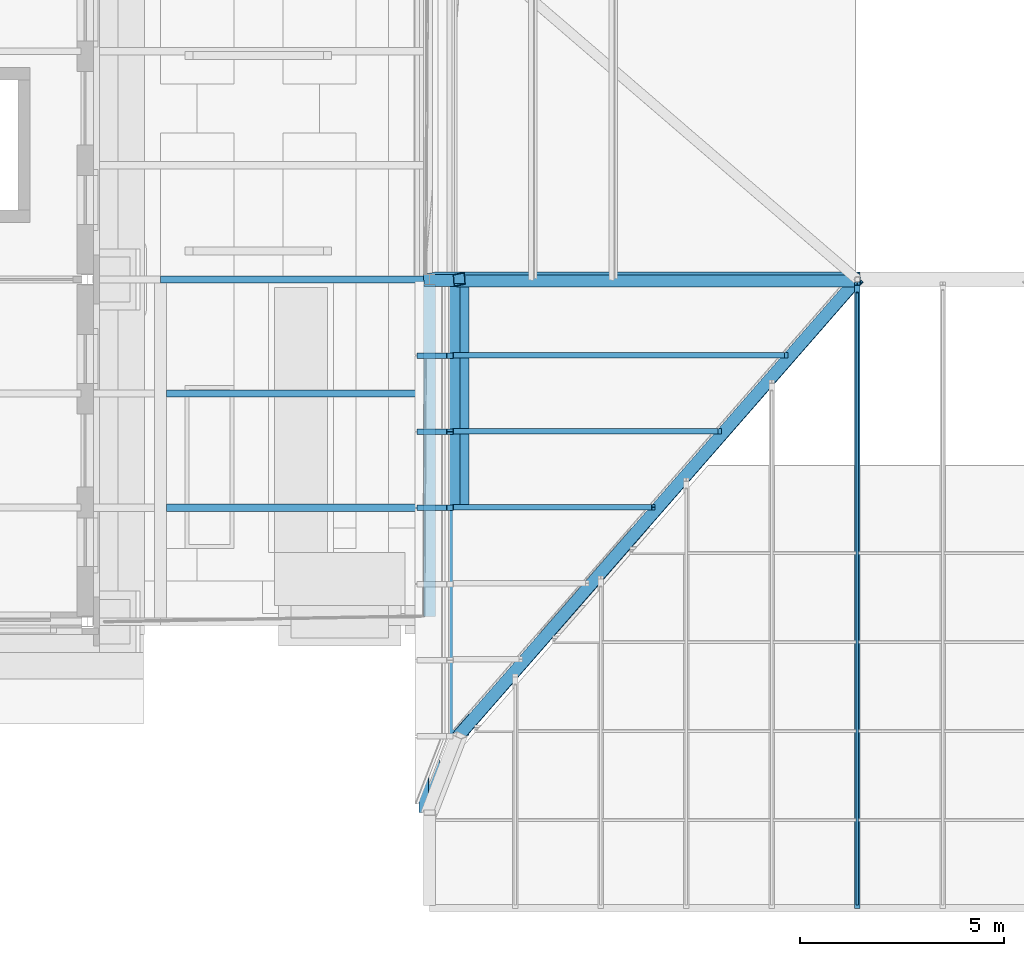
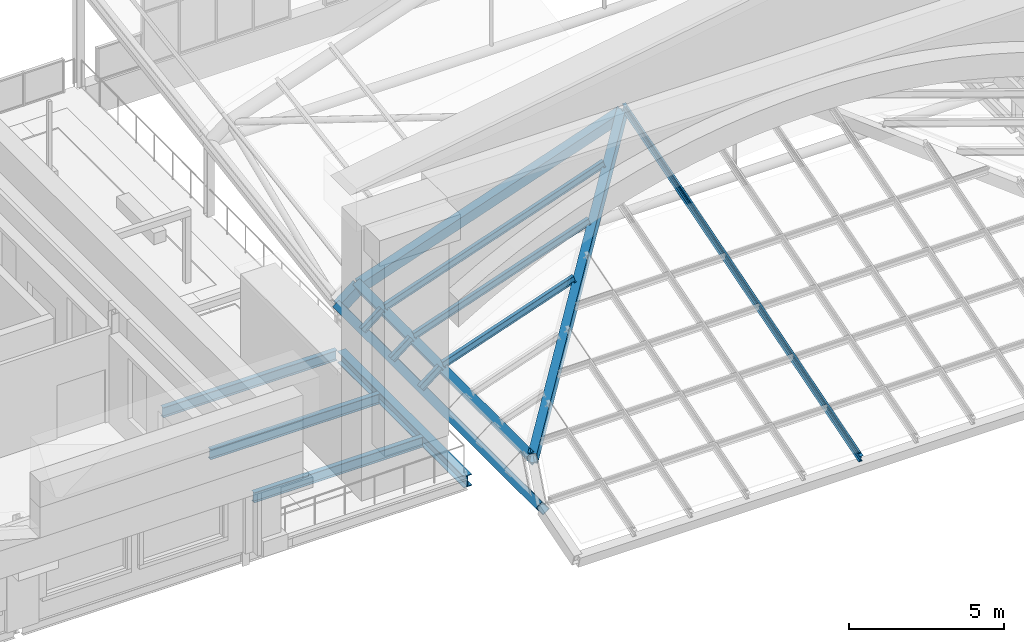
# One storey, part 14 of 76: 9 beams, 8 members.
"""IFC4 building model written with IfcOpenShell, lengths in metres."""

import ifcopenshell
import ifcopenshell.guid

model = None  # the IFC model being written
_history = None  # IfcOwnerHistory: only IFC2X3 demands one
_inside = {}  # id of a spatial element -> (the spatial element, [elements in it])
_under = {}  # id of a project, library or spatial element -> (it, [spatial elements below it])
_declared = {}  # id of a project -> (the project, [libraries it declares])
_typed = {}  # id of a type object -> (the type object, [elements of that type])
_made_of = {}  # id of a material, layer set ... -> (it, [elements and type objects made of it])


def new_model(schema):
    """Start an empty IFC model of exactly this schema.

    Asked for "IFC4X3", IfcOpenShell would pick the latest addendum, in which some entities
    have other attributes; the version numbers below select the first issue.
    IFC2X3 requires an IfcOwnerHistory on every rooted entity: one is made here for all.
    """
    global model, _history
    if schema == "IFC4X3":
        model = ifcopenshell.file(schema_version=(4, 3, 0, 0))
    else:
        model = ifcopenshell.file(schema=schema)
    _inside.clear()
    _under.clear()
    _declared.clear()
    _typed.clear()
    _made_of.clear()
    _history = None
    if model.schema == "IFC2X3":
        org = make("IfcOrganization", Name="unknown")
        user = make(
            "IfcPersonAndOrganization",
            ThePerson=make("IfcPerson", FamilyName="unknown"),
            TheOrganization=org,
        )
        app = make(
            "IfcApplication",
            ApplicationDeveloper=org,
            Version="unknown",
            ApplicationFullName="unknown",
            ApplicationIdentifier="unknown",
        )
        _history = make(
            "IfcOwnerHistory",
            OwningUser=user,
            OwningApplication=app,
            ChangeAction="ADDED",
            CreationDate=0,
        )
    return model


def make(cls, **values):
    """One entity of the class cls with the attributes given. An attribute that is None is left unset."""
    return model.create_entity(
        cls, **{name: value for name, value in values.items() if value is not None}
    )


def rooted(cls, **values):
    """An entity with a GlobalId (a new one), such as an element, a storey or a relation."""
    return make(cls, GlobalId=ifcopenshell.guid.new(), OwnerHistory=_history, **values)


def si_unit(unit_type, name, prefix=None):
    """IfcSIUnit, for example si_unit("LENGTHUNIT", "METRE", prefix="MILLI")."""
    return make("IfcSIUnit", UnitType=unit_type, Prefix=prefix, Name=name)


def assignment(units):
    """IfcUnitAssignment: the units of a project."""
    return None if units is None else make("IfcUnitAssignment", Units=units)


def point(xyz):
    """IfcCartesianPoint."""
    return None if xyz is None else make("IfcCartesianPoint", Coordinates=xyz)


def direction(xyz):
    """IfcDirection."""
    return None if xyz is None else make("IfcDirection", DirectionRatios=xyz)


def frame(location, z_axis=None, x_axis=None):
    """IfcAxis2Placement3D, a coordinate frame: its origin and axes. An axis left out is left unset."""
    return make(
        "IfcAxis2Placement3D",
        Location=point(location),
        Axis=direction(z_axis),
        RefDirection=direction(x_axis),
    )


def frame_2d(location, x_axis=None):
    """IfcAxis2Placement2D, a coordinate frame in the plane: its origin and x axis."""
    return make(
        "IfcAxis2Placement2D", Location=point(location), RefDirection=direction(x_axis)
    )


def origin():
    """The frame at (0, 0, 0) with its axes left unset."""
    return frame((0.0, 0.0, 0.0))


def origin_2d():
    """The frame at (0, 0) in the plane with its x axis left unset."""
    return frame_2d((0.0, 0.0))


def place(relative_to, where):
    """IfcLocalPlacement: puts the frame where relative to a parent placement (None: the world)."""
    return make(
        "IfcLocalPlacement", PlacementRelTo=relative_to, RelativePlacement=where
    )


def context(
    kind, dimensions, precision=None, world=None, true_north=None, identifier=None
):
    """IfcGeometricRepresentationContext, for example the 3D "Model" context."""
    return make(
        "IfcGeometricRepresentationContext",
        ContextIdentifier=identifier,
        ContextType=kind,
        CoordinateSpaceDimension=dimensions,
        Precision=precision,
        WorldCoordinateSystem=world,
        TrueNorth=true_north,
    )


def subcontext(parent, identifier, kind, view, scale=None):
    """IfcGeometricRepresentationSubContext, for example "Body" below "Model"."""
    return make(
        "IfcGeometricRepresentationSubContext",
        ContextIdentifier=identifier,
        ContextType=kind,
        ParentContext=parent,
        TargetScale=scale,
        TargetView=view,
    )


def project(units=None, contexts=None):
    """IfcProject with its units and contexts."""
    return rooted(
        "IfcProject",
        Name="project",
        RepresentationContexts=contexts,
        UnitsInContext=assignment(units),
    )


def spatial(cls, under=None, at=None, **own):
    """A site, building, storey or space (cls), placed at a placement, below another one or the project."""
    s = rooted(cls, ObjectPlacement=at, **own)
    if under is not None:
        _under.setdefault(under.id(), (under, []))[1].append(s)
    return s


def polyline(points):
    """IfcPolyline through the points."""
    return make("IfcPolyline", Points=[point(p) for p in points])


def profile(cls, at=None, kind="AREA", **sizes):
    """A parametric profile (cls). Its sizes go by their IFC names, for example OverallWidth=200.0."""
    return make(cls, ProfileType=kind, Position=at, **sizes)


def rectangle(**sizes):
    """IfcRectangleProfileDef."""
    return profile("IfcRectangleProfileDef", **sizes)


def i_section(**sizes):
    """IfcIShapeProfileDef."""
    return profile("IfcIShapeProfileDef", **sizes)


def outline(outer, holes=None, kind="AREA"):
    """IfcArbitraryClosedProfileDef: a profile drawn as a closed curve; with holes, ...WithVoids."""
    if holes is None:
        return make("IfcArbitraryClosedProfileDef", ProfileType=kind, OuterCurve=outer)
    return make(
        "IfcArbitraryProfileDefWithVoids",
        ProfileType=kind,
        OuterCurve=outer,
        InnerCurves=holes,
    )


def extrude(swept, where, along, depth):
    """IfcExtrudedAreaSolid: the profile swept, set in the frame where, extruded along a direction by depth."""
    return make(
        "IfcExtrudedAreaSolid",
        SweptArea=swept,
        Position=where,
        ExtrudedDirection=direction(along),
        Depth=depth,
    )


def shape(context_of_items, identifier, shape_type, items):
    """IfcShapeRepresentation: the items that make up one representation, for example the "Body"."""
    return make(
        "IfcShapeRepresentation",
        ContextOfItems=context_of_items,
        RepresentationIdentifier=identifier,
        RepresentationType=shape_type,
        Items=items,
    )


def material(Name=None, Category=None):
    """IfcMaterial."""
    return make("IfcMaterial", Name=Name, Category=Category)


def material_profile(
    of_material, cross_section, Name=None, Category=None, Priority=None
):
    """IfcMaterialProfile: a cross section and its material."""
    return make(
        "IfcMaterialProfile",
        Name=Name,
        Material=of_material,
        Profile=cross_section,
        Priority=Priority,
        Category=Category,
    )


def profile_set(profiles, Name=None, composite=None):
    """IfcMaterialProfileSet."""
    return make(
        "IfcMaterialProfileSet",
        Name=Name,
        MaterialProfiles=profiles,
        CompositeProfile=composite,
    )


def made_of(thing, what):
    """Note that an element or type object is made of a material, layer set ...; save() writes the relation."""
    if what is not None:
        _made_of.setdefault(what.id(), (what, []))[1].append(thing)
    return thing


def type_object(cls, material=None, **own):
    """A type object (cls), such as IfcWallType, which elements share."""
    return made_of(rooted(cls, **own), material)


def element(
    cls,
    number,
    at=None,
    inside=None,
    cuts=None,
    type_object=None,
    material=None,
    context=None,
    identifier="Body",
    shape_type=None,
    held_by="IfcProductDefinitionShape",
    body=None,
    shapes=None,
    **own,
):
    """One element of the class cls, such as IfcWall. Its Tag is "e" and its number.

    at: its placement. inside: the storey or other place that contains it. cuts: it is an
    opening in that element (IfcRelVoidsElement). A single representation is given by context,
    identifier, shape_type and body (its items); several are given by shapes. held_by: the class
    of the entity that holds the representations. save() writes the other relations.
    """
    e = rooted(cls, Tag="e%d" % number, ObjectPlacement=at, **own)
    if body is not None:
        shapes = [shape(context, identifier, shape_type, body)]
    if shapes is not None:
        e.Representation = make(held_by, Representations=shapes)
    if inside is not None:
        _inside.setdefault(inside.id(), (inside, []))[1].append(e)
    if cuts is not None:
        rooted(
            "IfcRelVoidsElement", RelatingBuildingElement=cuts, RelatedOpeningElement=e
        )
    if type_object is not None:
        _typed.setdefault(type_object.id(), (type_object, []))[1].append(e)
    return made_of(e, material)


def aggregate(whole, parts):
    """IfcRelAggregates: a whole, such as a stair, and the parts it consists of."""
    return rooted("IfcRelAggregates", RelatingObject=whole, RelatedObjects=parts)


def save(model, path):
    """Write the relations noted so far, then the file.

    IfcRelAggregates (storeys below a building ...), IfcRelContainedInSpatialStructure (elements
    in a storey), IfcRelDefinesByType, IfcRelAssociatesMaterial and IfcRelDeclares: one each for
    every whole, place, type object, material and project.
    """
    for whole, parts in _under.values():
        aggregate(whole, parts)
    for where, things in _inside.values():
        rooted(
            "IfcRelContainedInSpatialStructure",
            RelatedElements=things,
            RelatingStructure=where,
        )
    for kind, things in _typed.values():
        rooted("IfcRelDefinesByType", RelatedObjects=things, RelatingType=kind)
    for what, things in _made_of.values():
        rooted("IfcRelAssociatesMaterial", RelatedObjects=things, RelatingMaterial=what)
    for by, libraries in _declared.values():
        rooted("IfcRelDeclares", RelatingContext=by, RelatedDefinitions=libraries)
    model.write(path)


model = new_model("IFC4")

# Units and contexts
model_context = context("Model", 3, precision=1e-05, world=origin(), true_north=direction((0.0, 1.0)))
body_context = subcontext(model_context, "Body", "Model", "MODEL_VIEW")
ifc_project = project(units=[si_unit("LENGTHUNIT", "METRE"), si_unit("AREAUNIT", "SQUARE_METRE"), si_unit("VOLUMEUNIT", "CUBIC_METRE"), si_unit("PLANEANGLEUNIT", "RADIAN"), si_unit("MASSUNIT", "GRAM", prefix="KILO")], contexts=[model_context])

# Site, building, storey
site_placement = place(None, origin())
site = spatial("IfcSite", under=ifc_project, at=site_placement, CompositionType="ELEMENT")
building_placement = place(site_placement, origin())
building = spatial("IfcBuilding", under=site, at=building_placement, Name="Sava Quay Ferry Terminal", CompositionType="ELEMENT")
storey_placement = place(building_placement, frame((0.0, 0.0, 10.800048828125)))
storey = spatial("IfcBuildingStorey", under=building, at=storey_placement, Name="L02", CompositionType="ELEMENT", Elevation=10.800048828125)

# Beams
ifc_material_1 = material(Name="Steel S355", Category="steel")
ifc_material_profile_1 = material_profile(ifc_material_1, i_section(OverallWidth=0.179931640625, OverallDepth=0.39990234375, WebThickness=0.008544921875, FlangeThickness=0.013427734375, at=origin_2d()), Name="IPE 400")
ifc_profile_set_1 = profile_set([ifc_material_profile_1], Name="Steel S355")
beam_type_1 = type_object("IfcBeamType", Name="Beam IPE 400", PredefinedType="BEAM", material=ifc_profile_set_1)
beam_1_placement = place(storey_placement, frame((43.800048828125, 33.60009765625, -0.35009765625), z_axis=(1.0, 0.0, 0.0), x_axis=(0.0, 1.0, 0.0)))
element("IfcBeam", 1, at=beam_1_placement, inside=storey, type_object=beam_type_1, Name="Beam L02", PredefinedType="BEAM", context=body_context, shape_type="SweptSolid", body=[
    extrude(i_section(OverallWidth=0.179931640625, OverallDepth=0.39990234375, WebThickness=0.008544921875, FlangeThickness=0.013427734375, at=origin_2d()), origin(), (0.0, 0.0, 1.0), 6.469970703125),
])
for number, where, z_axis, x_axis, name in (
    (2, (43.949951171875, 28.0, -0.35009765625), (1.0, 0.0, 0.0), (0.0, 1.0, 0.0), "Secondary beam L02"),
    (3, (43.949951171875, 30.800048828125, -0.35009765625), (1.0, 0.0, 0.0), (0.0, 1.0, 0.0), "Secondary beam L02"),
):
    element("IfcBeam", number, at=place(storey_placement, frame(where, z_axis=z_axis, x_axis=x_axis)), inside=storey, type_object=beam_type_1, Name=name, PredefinedType="BEAM", context=body_context, shape_type="SweptSolid", body=[
        extrude(i_section(OverallWidth=0.179931640625, OverallDepth=0.39990234375, WebThickness=0.008544921875, FlangeThickness=0.013427734375, at=origin_2d()), origin(), (0.0, 0.0, 1.0), 6.300048828125),
    ])
ifc_material_2 = material(Name="Steel S355", Category="steel")
ifc_material_profile_2 = material_profile(ifc_material_2, outline(polyline([(-0.14990234375, -0.228515625), (0.14990234375, -0.228515625), (0.14990234375, 0.228515625), (-0.14990234375, 0.228515625), (-0.14990234375, -0.228515625)]), holes=[polyline([(-0.1298828125, -0.20849609375), (-0.1298828125, 0.20849609375), (0.1298828125, 0.20849609375), (0.1298828125, -0.20849609375), (-0.1298828125, -0.20849609375)])]), Name="Box 457x300x20 built-up")
ifc_profile_set_2 = profile_set([ifc_material_profile_2], Name="Steel S355")
beam_type_2 = type_object("IfcBeamType", Name="Fascia beam Box 457x300x20", PredefinedType="BEAM", material=ifc_profile_set_2)
beam_2_placement = place(storey_placement, frame((50.39990234375, 33.60009765625, 1.466064453125), z_axis=(0.0, -1.0, 0.0), x_axis=(0.788010753607, 0.0, 0.615661475326)))
element("IfcBeam", 4, at=beam_2_placement, inside=storey, type_object=beam_type_2, Name="Arrivals hall stern eave fascia beam EA2", PredefinedType="BEAM", context=body_context, shape_type="SweptSolid", body=[
    extrude(outline(polyline([(-0.14990234375, -0.228515625), (0.14990234375, -0.228515625), (0.14990234375, 0.228515625), (-0.14990234375, 0.228515625), (-0.14990234375, -0.228515625)]), holes=[polyline([(-0.1298828125, -0.20849609375), (-0.1298828125, 0.20849609375), (0.1298828125, 0.20849609375), (0.1298828125, -0.20849609375), (-0.1298828125, -0.20849609375)])]), origin(), (0.0, 0.0, 1.0), 13.085205078125),
])
beam_3_placement = place(storey_placement, frame((51.1298828125, 22.411865234375, 2.036376953125), z_axis=(0.0, 1.0, 0.0), x_axis=(-0.878817112662, 0.0, -0.47715876026)))
element("IfcBeam", 5, at=beam_3_placement, inside=storey, type_object=beam_type_2, Name="Arrivals hall stern ridge fascia beam RI1", PredefinedType="BEAM", context=body_context, shape_type="SweptSolid", body=[
    extrude(outline(polyline([(-0.14990234375, -0.228515625), (0.14990234375, -0.228515625), (0.14990234375, 0.228515625), (-0.14990234375, 0.228515625), (-0.14990234375, -0.228515625)]), holes=[polyline([(-0.1298828125, -0.20849609375), (-0.1298828125, 0.20849609375), (0.1298828125, 0.20849609375), (0.1298828125, -0.20849609375), (-0.1298828125, -0.20849609375)])]), origin(), (0.0, 0.0, 1.0), 11.188232421875),
])
beam_4_placement = place(storey_placement, frame((51.1298828125, 22.411865234375, 2.036376953125), z_axis=(0.641507296399, 0.734628289072, 0.220883828204), x_axis=(-0.7487697982, 0.662242979182, -0.02789311435)))
element("IfcBeam", 6, at=beam_4_placement, inside=storey, type_object=beam_type_2, Name="Arrivals hall stern hip fascia beam HI2", PredefinedType="BEAM", context=body_context, shape_type="SweptSolid", body=[
    extrude(outline(polyline([(-0.14990234375, -0.228515625), (0.14990234375, -0.228515625), (0.14990234375, 0.228515625), (-0.14990234375, 0.228515625), (-0.14990234375, -0.228515625)]), holes=[polyline([(-0.1298828125, -0.20849609375), (-0.1298828125, 0.20849609375), (0.1298828125, 0.20849609375), (0.1298828125, -0.20849609375), (-0.1298828125, -0.20849609375)])]), origin(), (0.0, 0.0, 1.0), 15.229736328125),
])
ifc_material_3 = material(Name="Steel S355", Category="steel")
ifc_material_profile_3 = material_profile(ifc_material_3, i_section(OverallWidth=0.300048828125, OverallDepth=0.449951171875, WebThickness=0.013916015625, FlangeThickness=0.02587890625, at=origin_2d()), Name="HE 450 B")
ifc_profile_set_3 = profile_set([ifc_material_profile_3], Name="Steel S355")
beam_type_3 = type_object("IfcBeamType", Name="Girder HE 450 B", PredefinedType="BEAM", material=ifc_profile_set_3)
beam_5_placement = place(storey_placement, frame((50.39990234375, 25.330078125, -0.375), z_axis=(0.0, 1.0, 0.0), x_axis=(-1.0, 0.0, 0.0)))
element("IfcBeam", 7, at=beam_5_placement, inside=storey, type_object=beam_type_3, Name="Girder L02", PredefinedType="BEAM", context=body_context, shape_type="SweptSolid", body=[
    extrude(i_section(OverallWidth=0.300048828125, OverallDepth=0.449951171875, WebThickness=0.013916015625, FlangeThickness=0.02587890625, at=origin_2d()), origin(), (0.0, 0.0, 1.0), 8.139892578125),
])

# Member
ifc_material_4 = material(Name="Aluminium EN AW-6063 T6", Category="aluminium")
ifc_material_profile_4 = material_profile(ifc_material_4, rectangle(XDim=0.06005859375, YDim=0.06005859375, at=origin_2d()), Name="Bar 60 x 60")
ifc_profile_set_4 = profile_set([ifc_material_profile_4], Name="Aluminium EN AW-6063 T6")
member_type_1 = type_object("IfcMemberType", Name="Glazing bar 60x60", PredefinedType="USERDEFINED", material=ifc_profile_set_4)
member_1_placement = place(storey_placement, frame((60.89990234375, 18.25732421875, 1.3388671875), z_axis=(0.0, 0.957644444229, 0.287953326839), x_axis=(-1.0, 0.0, 0.0)))
element("IfcMember", 8, at=member_1_placement, inside=storey, type_object=member_type_1, Name="Arrivals hall stern glazing bar GL5", ObjectType="GLAZING BAR", PredefinedType="USERDEFINED", context=body_context, shape_type="SweptSolid", body=[
    extrude(rectangle(XDim=0.06005859375, YDim=0.06005859375, at=origin_2d()), origin(), (0.0, 0.0, 1.0), 15.684326171875),
])

# Beams
ifc_material_5 = material(Name="Steel S355", Category="steel")
ifc_material_profile_5 = material_profile(ifc_material_5, outline(polyline([(-0.14990234375, -0.228515625), (0.14990234375, -0.228515625), (0.14990234375, 0.228515625), (-0.14990234375, 0.228515625), (-0.14990234375, -0.228515625)]), holes=[polyline([(-0.1298828125, -0.20849609375), (-0.1298828125, 0.20849609375), (0.1298828125, 0.20849609375), (0.1298828125, -0.20849609375), (-0.1298828125, -0.20849609375)])]), Name="Box 457x300x20 built-up")
ifc_profile_set_5 = profile_set([ifc_material_profile_5], Name="Steel S355")
beam_type_4 = type_object("IfcBeamType", Name="Prow edge box 457x300x20", PredefinedType="BEAM", material=ifc_profile_set_5)
beam_6_placement = place(storey_placement, frame((50.39990234375, 33.60009765625, 1.466064453125), z_axis=(0.788016382432, 0.0, 0.61565427069), x_axis=(-0.077295039469, 0.992087366097, 0.09893500343)))
element("IfcBeam", 9, at=beam_6_placement, inside=storey, type_object=beam_type_4, Name="Arrivals hall fascia rib R0 seg 1", PredefinedType="BEAM", context=body_context, shape_type="SweptSolid", body=[
    extrude(outline(polyline([(-0.14990234375, -0.228515625), (0.14990234375, -0.228515625), (0.14990234375, 0.228515625), (-0.14990234375, 0.228515625), (-0.14990234375, -0.228515625)]), holes=[polyline([(-0.1298828125, -0.20849609375), (-0.1298828125, 0.20849609375), (0.1298828125, 0.20849609375), (0.1298828125, -0.20849609375), (-0.1298828125, -0.20849609375)])]), origin(), (0.0, 0.0, 1.0), 0.92626953125),
])
beam_7_placement = place(storey_placement, frame((51.1298828125, 33.60009765625, 2.036376953125), z_axis=(0.945520775213, 0.0, 0.325561766247), x_axis=(-0.048874933488, 0.988667036454, 0.141946228922)))
element("IfcBeam", 10, at=beam_7_placement, inside=storey, type_object=beam_type_4, Name="Arrivals hall fascia rib R0 seg 2", PredefinedType="BEAM", context=body_context, shape_type="SweptSolid", body=[
    extrude(outline(polyline([(-0.14990234375, -0.228515625), (0.14990234375, -0.228515625), (0.14990234375, 0.228515625), (-0.14990234375, 0.228515625), (-0.14990234375, -0.228515625)]), holes=[polyline([(-0.1298828125, -0.20849609375), (-0.1298828125, 0.20849609375), (0.1298828125, 0.20849609375), (0.1298828125, -0.20849609375), (-0.1298828125, -0.20849609375)])]), origin(), (0.0, 0.0, 1.0), 10.3330078125),
])

# Members
ifc_material_6 = material(Name="Steel S355", Category="steel")
ifc_material_profile_6 = material_profile(ifc_material_6, i_section(OverallWidth=0.135009765625, OverallDepth=0.27001953125, WebThickness=0.006591796875, FlangeThickness=0.01025390625, at=origin_2d()), Name="IPE 270")
ifc_profile_set_6 = profile_set([ifc_material_profile_6], Name="Steel S355")
member_type_2 = type_object("IfcMemberType", Name="Roof rafter IPE 270", PredefinedType="RAFTER", material=ifc_profile_set_6)
for number, where, z_axis, x_axis, name in (
    (11, (50.17626953125, 31.730712890625, 1.75244140625), (0.788016382432, 0.0, 0.61565427069), (0.0, 1.0, 0.0), "Arrivals hall stern rafter RA1"),
    (12, (50.17626953125, 29.861328125, 1.75244140625), (0.788016382432, 0.0, 0.61565427069), (0.0, 1.0, 0.0), "Arrivals hall stern rafter RA2"),
    (13, (50.17626953125, 27.9921875, 1.75244140625), (0.788016382432, 0.0, 0.61565427069), (0.0, 1.0, 0.0), "Arrivals hall stern rafter RA3"),
):
    element("IfcMember", number, at=place(storey_placement, frame(where, z_axis=z_axis, x_axis=x_axis)), inside=storey, type_object=member_type_2, Name=name, PredefinedType="RAFTER", context=body_context, shape_type="SweptSolid", body=[
        extrude(i_section(OverallWidth=0.135009765625, OverallDepth=0.27001953125, WebThickness=0.006591796875, FlangeThickness=0.01025390625, at=origin_2d()), origin(), (0.0, 0.0, 1.0), 0.92626953125),
    ])
member_2_placement = place(storey_placement, frame((51.01171875, 31.7353515625, 2.3798828125), z_axis=(0.945515409484, 0.0, 0.325577349379), x_axis=(0.0, 1.0, 0.0)))
element("IfcMember", 14, at=member_2_placement, inside=storey, type_object=member_type_2, Name="Arrivals hall stern rafter RA7", PredefinedType="RAFTER", context=body_context, shape_type="SweptSolid", body=[
    extrude(i_section(OverallWidth=0.135009765625, OverallDepth=0.27001953125, WebThickness=0.006591796875, FlangeThickness=0.01025390625, at=origin_2d()), origin(), (0.0, 0.0, 1.0), 8.61083984375),
])
member_3_placement = place(storey_placement, frame((51.01171875, 29.87060546875, 2.3798828125), z_axis=(0.945507360322, 0.0, 0.325600724165), x_axis=(0.0, 1.0, 0.0)))
element("IfcMember", 15, at=member_3_placement, inside=storey, type_object=member_type_2, Name="Arrivals hall stern rafter RA8", PredefinedType="RAFTER", context=body_context, shape_type="SweptSolid", body=[
    extrude(i_section(OverallWidth=0.135009765625, OverallDepth=0.27001953125, WebThickness=0.006591796875, FlangeThickness=0.01025390625, at=origin_2d()), origin(), (0.0, 0.0, 1.0), 6.888671875),
])
member_4_placement = place(storey_placement, frame((51.01171875, 28.005859375, 2.3798828125), z_axis=(0.945513501922, 0.0, 0.325582889112), x_axis=(0.0, 1.0, 0.0)))
element("IfcMember", 16, at=member_4_placement, inside=storey, type_object=member_type_2, Name="Arrivals hall stern rafter RA9", PredefinedType="RAFTER", context=body_context, shape_type="SweptSolid", body=[
    extrude(i_section(OverallWidth=0.135009765625, OverallDepth=0.27001953125, WebThickness=0.006591796875, FlangeThickness=0.01025390625, at=origin_2d()), origin(), (0.0, 0.0, 1.0), 5.16650390625),
])
member_5_placement = place(storey_placement, frame((60.89990234375, 18.1953125, 1.14794921875), z_axis=(0.0, 0.957643982789, 0.287954861442), x_axis=(-1.0, 0.0, 0.0)))
element("IfcMember", 17, at=member_5_placement, inside=storey, type_object=member_type_2, Name="Arrivals hall stern rafter RA27", PredefinedType="RAFTER", context=body_context, shape_type="SweptSolid", body=[
    extrude(i_section(OverallWidth=0.135009765625, OverallDepth=0.27001953125, WebThickness=0.006591796875, FlangeThickness=0.01025390625, at=origin_2d()), origin(), (0.0, 0.0, 1.0), 15.976806640625),
])

save(model, "model.ifc")
